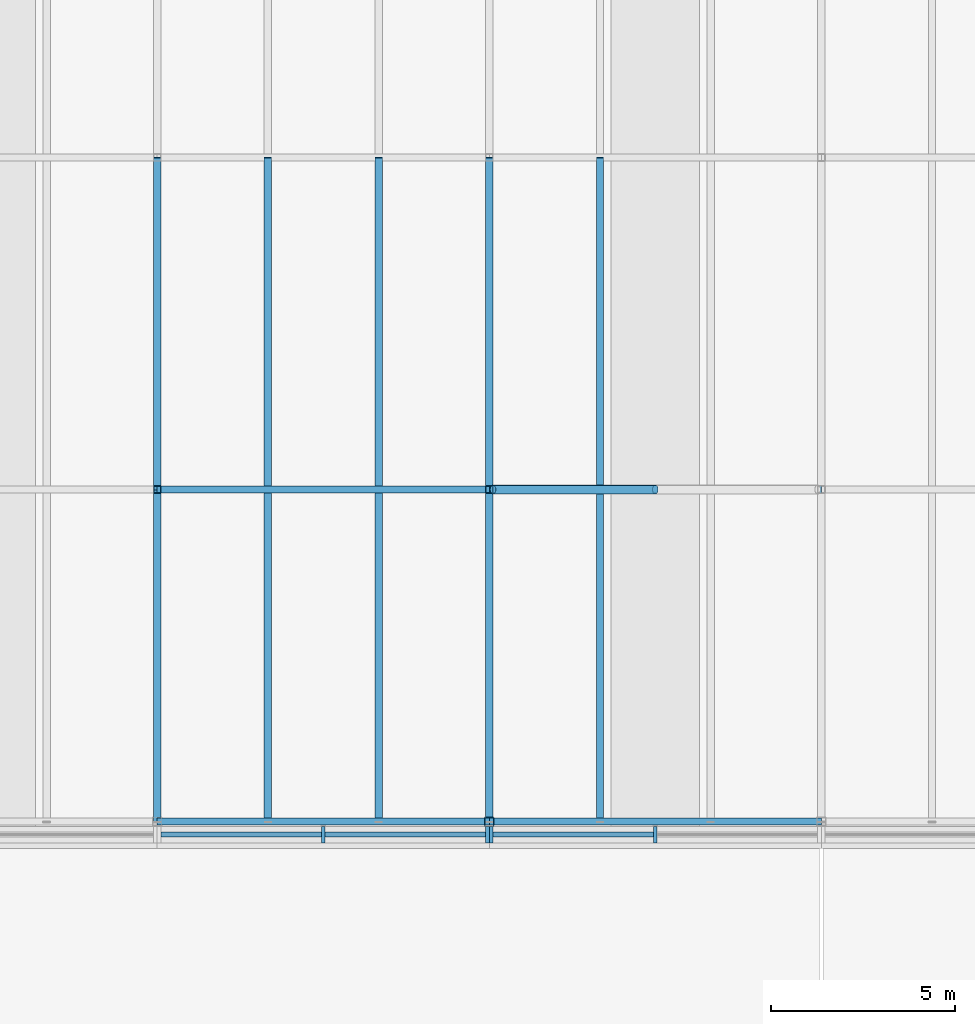
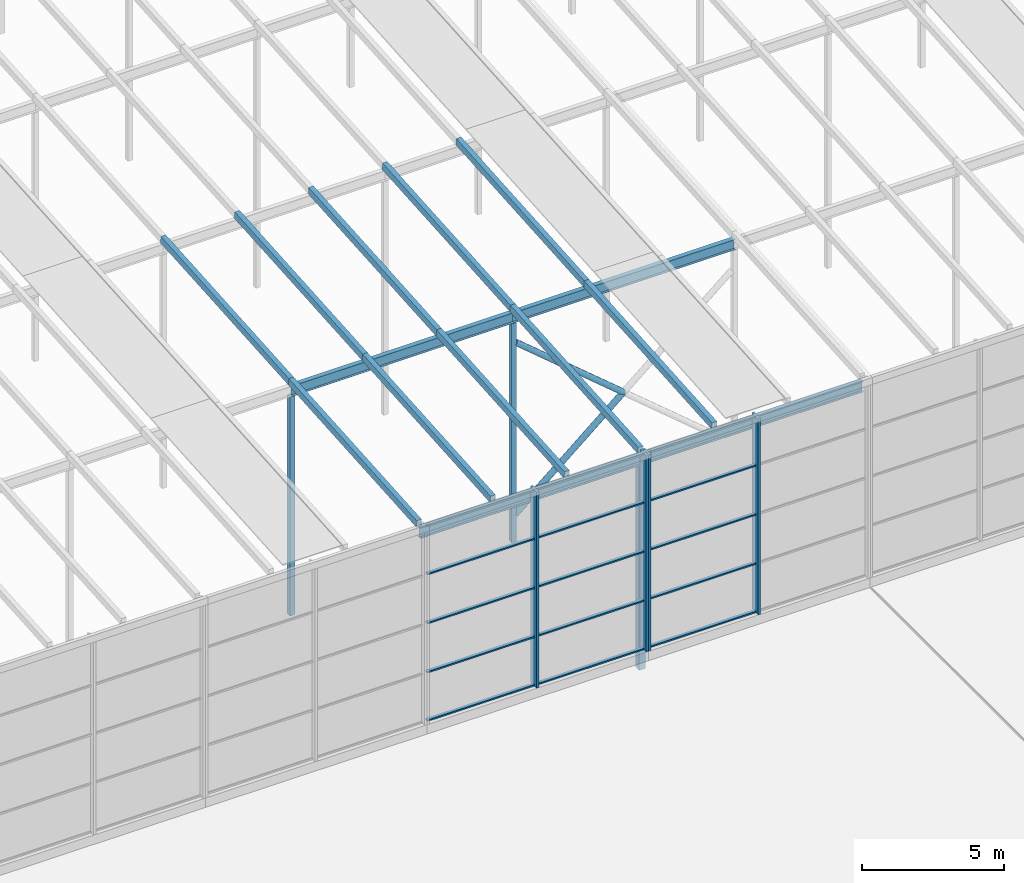
# One storey, part 7 of 84: 34 members, 4 beams, 2 elements without a shape of their own.
"""IFC4 building model written with IfcOpenShell, lengths in metres."""

import ifcopenshell
import ifcopenshell.guid

model = None  # the IFC model being written
_history = None  # IfcOwnerHistory: only IFC2X3 demands one
_inside = {}  # id of a spatial element -> (the spatial element, [elements in it])
_under = {}  # id of a project, library or spatial element -> (it, [spatial elements below it])
_declared = {}  # id of a project -> (the project, [libraries it declares])
_typed = {}  # id of a type object -> (the type object, [elements of that type])
_made_of = {}  # id of a material, layer set ... -> (it, [elements and type objects made of it])


def new_model(schema):
    """Start an empty IFC model of exactly this schema.

    Asked for "IFC4X3", IfcOpenShell would pick the latest addendum, in which some entities
    have other attributes; the version numbers below select the first issue.
    IFC2X3 requires an IfcOwnerHistory on every rooted entity: one is made here for all.
    """
    global model, _history
    if schema == "IFC4X3":
        model = ifcopenshell.file(schema_version=(4, 3, 0, 0))
    else:
        model = ifcopenshell.file(schema=schema)
    _inside.clear()
    _under.clear()
    _declared.clear()
    _typed.clear()
    _made_of.clear()
    _history = None
    if model.schema == "IFC2X3":
        org = make("IfcOrganization", Name="unknown")
        user = make(
            "IfcPersonAndOrganization",
            ThePerson=make("IfcPerson", FamilyName="unknown"),
            TheOrganization=org,
        )
        app = make(
            "IfcApplication",
            ApplicationDeveloper=org,
            Version="unknown",
            ApplicationFullName="unknown",
            ApplicationIdentifier="unknown",
        )
        _history = make(
            "IfcOwnerHistory",
            OwningUser=user,
            OwningApplication=app,
            ChangeAction="ADDED",
            CreationDate=0,
        )
    return model


def make(cls, **values):
    """One entity of the class cls with the attributes given. An attribute that is None is left unset."""
    return model.create_entity(
        cls, **{name: value for name, value in values.items() if value is not None}
    )


def rooted(cls, **values):
    """An entity with a GlobalId (a new one), such as an element, a storey or a relation."""
    return make(cls, GlobalId=ifcopenshell.guid.new(), OwnerHistory=_history, **values)


def si_unit(unit_type, name, prefix=None):
    """IfcSIUnit, for example si_unit("LENGTHUNIT", "METRE", prefix="MILLI")."""
    return make("IfcSIUnit", UnitType=unit_type, Prefix=prefix, Name=name)


def assignment(units):
    """IfcUnitAssignment: the units of a project."""
    return None if units is None else make("IfcUnitAssignment", Units=units)


def point(xyz):
    """IfcCartesianPoint."""
    return None if xyz is None else make("IfcCartesianPoint", Coordinates=xyz)


def direction(xyz):
    """IfcDirection."""
    return None if xyz is None else make("IfcDirection", DirectionRatios=xyz)


def frame(location, z_axis=None, x_axis=None):
    """IfcAxis2Placement3D, a coordinate frame: its origin and axes. An axis left out is left unset."""
    return make(
        "IfcAxis2Placement3D",
        Location=point(location),
        Axis=direction(z_axis),
        RefDirection=direction(x_axis),
    )


def frame_2d(location, x_axis=None):
    """IfcAxis2Placement2D, a coordinate frame in the plane: its origin and x axis."""
    return make(
        "IfcAxis2Placement2D", Location=point(location), RefDirection=direction(x_axis)
    )


def origin():
    """The frame at (0, 0, 0) with its axes left unset."""
    return frame((0.0, 0.0, 0.0))


def origin_2d():
    """The frame at (0, 0) in the plane with its x axis left unset."""
    return frame_2d((0.0, 0.0))


def place(relative_to, where):
    """IfcLocalPlacement: puts the frame where relative to a parent placement (None: the world)."""
    return make(
        "IfcLocalPlacement", PlacementRelTo=relative_to, RelativePlacement=where
    )


def context(
    kind, dimensions, precision=None, world=None, true_north=None, identifier=None
):
    """IfcGeometricRepresentationContext, for example the 3D "Model" context."""
    return make(
        "IfcGeometricRepresentationContext",
        ContextIdentifier=identifier,
        ContextType=kind,
        CoordinateSpaceDimension=dimensions,
        Precision=precision,
        WorldCoordinateSystem=world,
        TrueNorth=true_north,
    )


def subcontext(parent, identifier, kind, view, scale=None):
    """IfcGeometricRepresentationSubContext, for example "Body" below "Model"."""
    return make(
        "IfcGeometricRepresentationSubContext",
        ContextIdentifier=identifier,
        ContextType=kind,
        ParentContext=parent,
        TargetScale=scale,
        TargetView=view,
    )


def project(units=None, contexts=None):
    """IfcProject with its units and contexts."""
    return rooted(
        "IfcProject",
        Name="project",
        RepresentationContexts=contexts,
        UnitsInContext=assignment(units),
    )


def spatial(cls, under=None, at=None, **own):
    """A site, building, storey or space (cls), placed at a placement, below another one or the project."""
    s = rooted(cls, ObjectPlacement=at, **own)
    if under is not None:
        _under.setdefault(under.id(), (under, []))[1].append(s)
    return s


def profile(cls, at=None, kind="AREA", **sizes):
    """A parametric profile (cls). Its sizes go by their IFC names, for example OverallWidth=200.0."""
    return make(cls, ProfileType=kind, Position=at, **sizes)


def rectangle(**sizes):
    """IfcRectangleProfileDef."""
    return profile("IfcRectangleProfileDef", **sizes)


def hollow_rectangle(**sizes):
    """IfcRectangleHollowProfileDef."""
    return profile("IfcRectangleHollowProfileDef", **sizes)


def hollow_circle(**sizes):
    """IfcCircleHollowProfileDef."""
    return profile("IfcCircleHollowProfileDef", **sizes)


def i_section(**sizes):
    """IfcIShapeProfileDef."""
    return profile("IfcIShapeProfileDef", **sizes)


def extrude(swept, where, along, depth):
    """IfcExtrudedAreaSolid: the profile swept, set in the frame where, extruded along a direction by depth."""
    return make(
        "IfcExtrudedAreaSolid",
        SweptArea=swept,
        Position=where,
        ExtrudedDirection=direction(along),
        Depth=depth,
    )


def shape(context_of_items, identifier, shape_type, items):
    """IfcShapeRepresentation: the items that make up one representation, for example the "Body"."""
    return make(
        "IfcShapeRepresentation",
        ContextOfItems=context_of_items,
        RepresentationIdentifier=identifier,
        RepresentationType=shape_type,
        Items=items,
    )


def material(Name=None, Category=None):
    """IfcMaterial."""
    return make("IfcMaterial", Name=Name, Category=Category)


def material_profile(
    of_material, cross_section, Name=None, Category=None, Priority=None
):
    """IfcMaterialProfile: a cross section and its material."""
    return make(
        "IfcMaterialProfile",
        Name=Name,
        Material=of_material,
        Profile=cross_section,
        Priority=Priority,
        Category=Category,
    )


def profile_set(profiles, Name=None, composite=None):
    """IfcMaterialProfileSet."""
    return make(
        "IfcMaterialProfileSet",
        Name=Name,
        MaterialProfiles=profiles,
        CompositeProfile=composite,
    )


def made_of(thing, what):
    """Note that an element or type object is made of a material, layer set ...; save() writes the relation."""
    if what is not None:
        _made_of.setdefault(what.id(), (what, []))[1].append(thing)
    return thing


def type_object(cls, material=None, **own):
    """A type object (cls), such as IfcWallType, which elements share."""
    return made_of(rooted(cls, **own), material)


def element(
    cls,
    number,
    at=None,
    inside=None,
    cuts=None,
    type_object=None,
    material=None,
    context=None,
    identifier="Body",
    shape_type=None,
    held_by="IfcProductDefinitionShape",
    body=None,
    shapes=None,
    **own,
):
    """One element of the class cls, such as IfcWall. Its Tag is "e" and its number.

    at: its placement. inside: the storey or other place that contains it. cuts: it is an
    opening in that element (IfcRelVoidsElement). A single representation is given by context,
    identifier, shape_type and body (its items); several are given by shapes. held_by: the class
    of the entity that holds the representations. save() writes the other relations.
    """
    e = rooted(cls, Tag="e%d" % number, ObjectPlacement=at, **own)
    if body is not None:
        shapes = [shape(context, identifier, shape_type, body)]
    if shapes is not None:
        e.Representation = make(held_by, Representations=shapes)
    if inside is not None:
        _inside.setdefault(inside.id(), (inside, []))[1].append(e)
    if cuts is not None:
        rooted(
            "IfcRelVoidsElement", RelatingBuildingElement=cuts, RelatedOpeningElement=e
        )
    if type_object is not None:
        _typed.setdefault(type_object.id(), (type_object, []))[1].append(e)
    return made_of(e, material)


def aggregate(whole, parts):
    """IfcRelAggregates: a whole, such as a stair, and the parts it consists of."""
    return rooted("IfcRelAggregates", RelatingObject=whole, RelatedObjects=parts)


def save(model, path):
    """Write the relations noted so far, then the file.

    IfcRelAggregates (storeys below a building ...), IfcRelContainedInSpatialStructure (elements
    in a storey), IfcRelDefinesByType, IfcRelAssociatesMaterial and IfcRelDeclares: one each for
    every whole, place, type object, material and project.
    """
    for whole, parts in _under.values():
        aggregate(whole, parts)
    for where, things in _inside.values():
        rooted(
            "IfcRelContainedInSpatialStructure",
            RelatedElements=things,
            RelatingStructure=where,
        )
    for kind, things in _typed.values():
        rooted("IfcRelDefinesByType", RelatedObjects=things, RelatingType=kind)
    for what, things in _made_of.values():
        rooted("IfcRelAssociatesMaterial", RelatedObjects=things, RelatingMaterial=what)
    for by, libraries in _declared.values():
        rooted("IfcRelDeclares", RelatingContext=by, RelatedDefinitions=libraries)
    model.write(path)


model = new_model("IFC4")

# Units and contexts
model_context = context("Model", 3, precision=1e-05, world=origin(), true_north=direction((0.0, 1.0)))
body_context = subcontext(model_context, "Body", "Model", "MODEL_VIEW")
ifc_project = project(units=[si_unit("LENGTHUNIT", "METRE"), si_unit("AREAUNIT", "SQUARE_METRE"), si_unit("VOLUMEUNIT", "CUBIC_METRE"), si_unit("PLANEANGLEUNIT", "RADIAN"), si_unit("MASSUNIT", "GRAM", prefix="KILO")], contexts=[model_context])

# Site, building, storey
site_placement = place(None, origin())
site = spatial("IfcSite", under=ifc_project, at=site_placement, CompositionType="ELEMENT")
building_placement = place(site_placement, origin())
building = spatial("IfcBuilding", under=site, at=building_placement, Name="Silverbay Arena", CompositionType="ELEMENT")
storey_placement = place(building_placement, frame((0.0, 0.0, 47.10009765625)))
storey = spatial("IfcBuildingStorey", under=building, at=storey_placement, Name="ROOF", CompositionType="ELEMENT", Elevation=47.10009765625)

# Curtain wall, members
ifc_material_1 = material(Name="Aluminium framed glazing", Category="aluminium")
curtain_wall_type = type_object("IfcCurtainWallType", Name="Curtain wall crown 9000 x 8425", PredefinedType="NOTDEFINED", material=ifc_material_1)
curtain_wall_1_placement = place(storey_placement, origin())
curtain_wall_1 = element("IfcCurtainWall", 1, at=curtain_wall_1_placement, inside=storey, type_object=curtain_wall_type, Name="ROOF CROWN CURTAIN WALL south bay 05", PredefinedType="NOTDEFINED")
ifc_material_2 = material(Name="Aluminium", Category="aluminium")
ifc_material_profile_1 = material_profile(ifc_material_2, rectangle(XDim=0.449951171875, YDim=0.10009765625, at=origin_2d()), Name="Mullion 100 x 450")
ifc_profile_set_1 = profile_set([ifc_material_profile_1], Name="Aluminium")
member_type_1 = type_object("IfcMemberType", Name="Mullion 100 x 450", PredefinedType="MULLION", material=ifc_profile_set_1)
placement = place(building_placement, frame((0.0, 0.0, 33.5)))
member_1_placement = place(placement, frame((121.5, 26.64990234375, 14.050048828125), z_axis=(0.0, 0.0, 1.0), x_axis=(0.0, 1.0, 0.0)))
member_1 = element("IfcMember", 2, at=member_1_placement, type_object=member_type_1, Name="CW62 mullion 2", PredefinedType="MULLION", context=body_context, shape_type="SweptSolid", body=[
    extrude(rectangle(XDim=0.449951171875, YDim=0.10009765625, at=origin_2d()), origin(), (0.0, 0.0, 1.0), 8.424560546875),
])
member_2_placement = place(placement, frame((125.949951171875, 26.64990234375, 14.050048828125), z_axis=(0.0, 0.0, 1.0), x_axis=(0.0, 1.0, 0.0)))
member_2 = element("IfcMember", 3, at=member_2_placement, type_object=member_type_1, Name="CW62 mullion 3", PredefinedType="MULLION", context=body_context, shape_type="SweptSolid", body=[
    extrude(rectangle(XDim=0.449951171875, YDim=0.10009765625, at=origin_2d()), origin(), (0.0, 0.0, 1.0), 8.424560546875),
])

curtain_wall_2_placement = place(storey_placement, origin())
curtain_wall_2 = element("IfcCurtainWall", 4, at=curtain_wall_2_placement, inside=storey, type_object=curtain_wall_type, Name="ROOF CROWN CURTAIN WALL south bay 06", PredefinedType="NOTDEFINED")
member_3_placement = place(placement, frame((126.050048828125, 26.64990234375, 14.050048828125), z_axis=(0.0, 0.0, 1.0), x_axis=(0.0, 1.0, 0.0)))
member_3 = element("IfcMember", 5, at=member_3_placement, type_object=member_type_1, Name="CW62 mullion 1", PredefinedType="MULLION", context=body_context, shape_type="SweptSolid", body=[
    extrude(rectangle(XDim=0.449951171875, YDim=0.10009765625, at=origin_2d()), origin(), (0.0, 0.0, 1.0), 8.424560546875),
])
member_4_placement = place(placement, frame((130.5, 26.64990234375, 14.050048828125), z_axis=(0.0, 0.0, 1.0), x_axis=(0.0, 1.0, 0.0)))
member_4 = element("IfcMember", 6, at=member_4_placement, type_object=member_type_1, Name="CW62 mullion 2", PredefinedType="MULLION", context=body_context, shape_type="SweptSolid", body=[
    extrude(rectangle(XDim=0.449951171875, YDim=0.10009765625, at=origin_2d()), origin(), (0.0, 0.0, 1.0), 8.424560546875),
])

# Members
ifc_material_3 = material(Name="Steel S355", Category="steel")
ifc_material_profile_2 = material_profile(ifc_material_3, hollow_rectangle(XDim=0.199951171875, YDim=0.300048828125, WallThickness=0.00634765625, at=origin_2d()), Name="RHS 300x200x6.3")
ifc_profile_set_2 = profile_set([ifc_material_profile_2], Name="Steel S355")
member_type_2 = type_object("IfcMemberType", Name="Purlin RHS 300x200x6.3", PredefinedType="PURLIN", material=ifc_profile_set_2)
for number, where, z_axis, x_axis, name in (
    (7, (117.0, 27.0, 8.74951171875), (0.0, 0.997402911363, 0.072023832195), (-1.0, 0.0, 0.0), "ROOF PURLIN crown line 13 bay 01"),
    (8, (117.0, 36.0, 9.3994140625), (0.0, 0.997400967367, 0.07205074805), (-1.0, 0.0, 0.0), "ROOF PURLIN crown line 13 bay 02"),
    (9, (120.0, 27.0, 8.74951171875), (0.0, 0.997402911363, 0.072023832195), (-1.0, 0.0, 0.0), "ROOF PURLIN crown line 14 bay 01"),
    (10, (120.0, 36.0, 9.3994140625), (0.0, 0.997400967367, 0.07205074805), (-1.0, 0.0, 0.0), "ROOF PURLIN crown line 14 bay 02"),
    (11, (123.0, 27.0, 8.74951171875), (0.0, 0.997402911363, 0.072023832195), (-1.0, 0.0, 0.0), "ROOF PURLIN crown line 15 bay 01"),
    (12, (123.0, 36.0, 9.3994140625), (0.0, 0.997400967367, 0.07205074805), (-1.0, 0.0, 0.0), "ROOF PURLIN crown line 15 bay 02"),
    (13, (126.0, 27.0, 8.74951171875), (0.0, 0.997402911363, 0.072023832195), (-1.0, 0.0, 0.0), "ROOF PURLIN crown line 16 bay 01"),
    (14, (126.0, 36.0, 9.3994140625), (0.0, 0.997400967367, 0.07205074805), (-1.0, 0.0, 0.0), "ROOF PURLIN crown line 16 bay 02"),
    (15, (129.0, 27.0, 8.74951171875), (0.0, 0.997402911363, 0.072023832195), (-1.0, 0.0, 0.0), "ROOF PURLIN crown line 17 bay 01"),
    (16, (129.0, 36.0, 9.3994140625), (0.0, 0.997400967367, 0.07205074805), (-1.0, 0.0, 0.0), "ROOF PURLIN crown line 17 bay 02"),
):
    element("IfcMember", number, at=place(storey_placement, frame(where, z_axis=z_axis, x_axis=x_axis)), inside=storey, type_object=member_type_2, Name=name, PredefinedType="PURLIN", context=body_context, shape_type="SweptSolid", body=[
        extrude(hollow_rectangle(XDim=0.199951171875, YDim=0.300048828125, WallThickness=0.00634765625, at=origin_2d()), origin(), (0.0, 0.0, 1.0), 9.0234375),
    ])

# Beams
ifc_material_4 = material(Name="Steel S355", Category="steel")
ifc_material_profile_3 = material_profile(ifc_material_4, i_section(OverallWidth=0.18994140625, OverallDepth=0.453369140625, WebThickness=0.008544921875, FlangeThickness=0.0126953125, at=origin_2d()), Name="UB 457x191x67")
ifc_profile_set_3 = profile_set([ifc_material_profile_3], Name="Steel S355")
beam_type = type_object("IfcBeamType", Name="Ring beam UB 457x191x67", PredefinedType="BEAM", material=ifc_profile_set_3)
for number, where, z_axis, x_axis, name in (
    (17, (117.0, 27.0, 8.372314453125), (1.0, 0.0, 0.0), (0.0, 1.0, 0.0), "RING BEAM crown row 01 14-15"),
    (18, (126.0, 27.0, 8.372314453125), (1.0, 0.0, 0.0), (0.0, 1.0, 0.0), "RING BEAM crown row 01 15-16"),
    (19, (117.0, 36.0, 9.0224609375), (1.0, 0.0, 0.0), (0.0, 1.0, 0.0), "RING BEAM crown row 02 14-15"),
    (20, (126.0, 36.0, 9.0224609375), (1.0, 0.0, 0.0), (0.0, 1.0, 0.0), "RING BEAM crown row 02 15-16"),
):
    element("IfcBeam", number, at=place(storey_placement, frame(where, z_axis=z_axis, x_axis=x_axis)), inside=storey, type_object=beam_type, Name=name, PredefinedType="BEAM", context=body_context, shape_type="SweptSolid", body=[
        extrude(i_section(OverallWidth=0.18994140625, OverallDepth=0.453369140625, WebThickness=0.008544921875, FlangeThickness=0.0126953125, at=origin_2d()), origin(), (0.0, 0.0, 1.0), 9.0),
    ])

# Members
ifc_material_5 = material(Name="Steel S355", Category="steel")
ifc_material_profile_4 = material_profile(ifc_material_5, hollow_rectangle(XDim=0.199951171875, YDim=0.199951171875, WallThickness=0.008056640625, at=origin_2d()), Name="SHS 200x200x8")
ifc_profile_set_4 = profile_set([ifc_material_profile_4], Name="Steel S355")
member_type_3 = type_object("IfcMemberType", Name="Roof post SHS 200x200x8", PredefinedType="POST", material=ifc_profile_set_4)
for number, where, z_axis, x_axis, name in (
    (21, (117.0, 36.0, -0.60009765625), (0.0, 0.0, 1.0), (1.0, 0.0, 0.0), "ROOF CROWN POST 14 row 02"),
    (22, (126.0, 36.0, -0.60009765625), (0.0, 0.0, 1.0), (1.0, 0.0, 0.0), "ROOF CROWN POST 15 row 02"),
):
    element("IfcMember", number, at=place(storey_placement, frame(where, z_axis=z_axis, x_axis=x_axis)), inside=storey, type_object=member_type_3, Name=name, PredefinedType="POST", context=body_context, shape_type="SweptSolid", body=[
        extrude(hollow_rectangle(XDim=0.199951171875, YDim=0.199951171875, WallThickness=0.008056640625, at=origin_2d()), origin(), (0.0, 0.0, 1.0), 9.395751953125),
    ])
ifc_material_6 = material(Name="Steel S355", Category="steel")
ifc_material_profile_5 = material_profile(ifc_material_6, hollow_rectangle(XDim=0.25, YDim=0.25, WallThickness=0.008056640625, at=origin_2d()), Name="SHS 250x250x8")
ifc_profile_set_5 = profile_set([ifc_material_profile_5], Name="Steel S355")
member_type_4 = type_object("IfcMemberType", Name="Roof post SHS 250x250x8", PredefinedType="POST", material=ifc_profile_set_5)
member_5_placement = place(storey_placement, frame((126.0, 27.0, -0.60009765625), z_axis=(0.0, 0.0, 1.0), x_axis=(1.0, 0.0, 0.0)))
element("IfcMember", 23, at=member_5_placement, inside=storey, type_object=member_type_4, Name="ROOF CROWN POST 15 row 01", PredefinedType="POST", context=body_context, shape_type="SweptSolid", body=[
    extrude(hollow_rectangle(XDim=0.25, YDim=0.25, WallThickness=0.008056640625, at=origin_2d()), origin(), (0.0, 0.0, 1.0), 8.745849609375),
])

# Member
ifc_material_7 = material(Name="Aluminium", Category="aluminium")
ifc_material_profile_6 = material_profile(ifc_material_7, rectangle(XDim=0.139892578125, YDim=0.06005859375, at=origin_2d()), Name="Transom 60 x 140")
ifc_profile_set_6 = profile_set([ifc_material_profile_6], Name="Aluminium")
member_type_5 = type_object("IfcMemberType", Name="Transom 60 x 140", PredefinedType="USERDEFINED", material=ifc_profile_set_6)
member_6_placement = place(placement, frame((117.10009765625, 26.64990234375, 14.080078125), z_axis=(1.0, 0.0, 0.0), x_axis=(0.0, 1.0, 0.0)))
member_6 = element("IfcMember", 24, at=member_6_placement, type_object=member_type_5, Name="CW62 transom 1.1", ObjectType="TRANSOM", PredefinedType="USERDEFINED", context=body_context, shape_type="SweptSolid", body=[
    extrude(rectangle(XDim=0.139892578125, YDim=0.06005859375, at=origin_2d()), origin(), (0.0, 0.0, 1.0), 4.349853515625),
])

member_7_placement = place(placement, frame((117.10009765625, 26.64990234375, 16.15625), z_axis=(1.0, 0.0, 0.0), x_axis=(0.0, 1.0, 0.0)))
member_7 = element("IfcMember", 25, at=member_7_placement, type_object=member_type_5, Name="CW62 transom 1.2", ObjectType="TRANSOM", PredefinedType="USERDEFINED", context=body_context, shape_type="SweptSolid", body=[
    extrude(rectangle(XDim=0.139892578125, YDim=0.06005859375, at=origin_2d()), origin(), (0.0, 0.0, 1.0), 4.349853515625),
])

member_8_placement = place(placement, frame((117.10009765625, 26.64990234375, 18.262451171875), z_axis=(1.0, 0.0, 0.0), x_axis=(0.0, 1.0, 0.0)))
member_8 = element("IfcMember", 26, at=member_8_placement, type_object=member_type_5, Name="CW62 transom 1.3", ObjectType="TRANSOM", PredefinedType="USERDEFINED", context=body_context, shape_type="SweptSolid", body=[
    extrude(rectangle(XDim=0.139892578125, YDim=0.06005859375, at=origin_2d()), origin(), (0.0, 0.0, 1.0), 4.349853515625),
])

member_9_placement = place(placement, frame((117.10009765625, 26.64990234375, 20.36865234375), z_axis=(1.0, 0.0, 0.0), x_axis=(0.0, 1.0, 0.0)))
member_9 = element("IfcMember", 27, at=member_9_placement, type_object=member_type_5, Name="CW62 transom 1.4", ObjectType="TRANSOM", PredefinedType="USERDEFINED", context=body_context, shape_type="SweptSolid", body=[
    extrude(rectangle(XDim=0.139892578125, YDim=0.06005859375, at=origin_2d()), origin(), (0.0, 0.0, 1.0), 4.349853515625),
])

member_10_placement = place(placement, frame((117.10009765625, 26.64990234375, 22.44482421875), z_axis=(1.0, 0.0, 0.0), x_axis=(0.0, 1.0, 0.0)))
member_10 = element("IfcMember", 28, at=member_10_placement, type_object=member_type_5, Name="CW62 transom 1.5", ObjectType="TRANSOM", PredefinedType="USERDEFINED", context=body_context, shape_type="SweptSolid", body=[
    extrude(rectangle(XDim=0.139892578125, YDim=0.06005859375, at=origin_2d()), origin(), (0.0, 0.0, 1.0), 4.349853515625),
])

member_11_placement = place(placement, frame((121.550048828125, 26.64990234375, 14.080078125), z_axis=(1.0, 0.0, 0.0), x_axis=(0.0, 1.0, 0.0)))
member_11 = element("IfcMember", 29, at=member_11_placement, type_object=member_type_5, Name="CW62 transom 2.1", ObjectType="TRANSOM", PredefinedType="USERDEFINED", context=body_context, shape_type="SweptSolid", body=[
    extrude(rectangle(XDim=0.139892578125, YDim=0.06005859375, at=origin_2d()), origin(), (0.0, 0.0, 1.0), 4.349853515625),
])

member_12_placement = place(placement, frame((121.550048828125, 26.64990234375, 16.15625), z_axis=(1.0, 0.0, 0.0), x_axis=(0.0, 1.0, 0.0)))
member_12 = element("IfcMember", 30, at=member_12_placement, type_object=member_type_5, Name="CW62 transom 2.2", ObjectType="TRANSOM", PredefinedType="USERDEFINED", context=body_context, shape_type="SweptSolid", body=[
    extrude(rectangle(XDim=0.139892578125, YDim=0.06005859375, at=origin_2d()), origin(), (0.0, 0.0, 1.0), 4.349853515625),
])

member_13_placement = place(placement, frame((121.550048828125, 26.64990234375, 18.262451171875), z_axis=(1.0, 0.0, 0.0), x_axis=(0.0, 1.0, 0.0)))
member_13 = element("IfcMember", 31, at=member_13_placement, type_object=member_type_5, Name="CW62 transom 2.3", ObjectType="TRANSOM", PredefinedType="USERDEFINED", context=body_context, shape_type="SweptSolid", body=[
    extrude(rectangle(XDim=0.139892578125, YDim=0.06005859375, at=origin_2d()), origin(), (0.0, 0.0, 1.0), 4.349853515625),
])

member_14_placement = place(placement, frame((121.550048828125, 26.64990234375, 20.36865234375), z_axis=(1.0, 0.0, 0.0), x_axis=(0.0, 1.0, 0.0)))
member_14 = element("IfcMember", 32, at=member_14_placement, type_object=member_type_5, Name="CW62 transom 2.4", ObjectType="TRANSOM", PredefinedType="USERDEFINED", context=body_context, shape_type="SweptSolid", body=[
    extrude(rectangle(XDim=0.139892578125, YDim=0.06005859375, at=origin_2d()), origin(), (0.0, 0.0, 1.0), 4.349853515625),
])

member_15_placement = place(placement, frame((121.550048828125, 26.64990234375, 22.44482421875), z_axis=(1.0, 0.0, 0.0), x_axis=(0.0, 1.0, 0.0)))
member_15 = element("IfcMember", 33, at=member_15_placement, type_object=member_type_5, Name="CW62 transom 2.5", ObjectType="TRANSOM", PredefinedType="USERDEFINED", context=body_context, shape_type="SweptSolid", body=[
    extrude(rectangle(XDim=0.139892578125, YDim=0.06005859375, at=origin_2d()), origin(), (0.0, 0.0, 1.0), 4.349853515625),
])

aggregate(curtain_wall_1, [member_1, member_2, member_6, member_7, member_8, member_9, member_10, member_11, member_12, member_13, member_14, member_15])

member_16_placement = place(placement, frame((126.10009765625, 26.64990234375, 14.080078125), z_axis=(1.0, 0.0, 0.0), x_axis=(0.0, 1.0, 0.0)))
member_16 = element("IfcMember", 34, at=member_16_placement, type_object=member_type_5, Name="CW62 transom 1.1", ObjectType="TRANSOM", PredefinedType="USERDEFINED", context=body_context, shape_type="SweptSolid", body=[
    extrude(rectangle(XDim=0.139892578125, YDim=0.06005859375, at=origin_2d()), origin(), (0.0, 0.0, 1.0), 4.349853515625),
])

member_17_placement = place(placement, frame((126.10009765625, 26.64990234375, 16.15625), z_axis=(1.0, 0.0, 0.0), x_axis=(0.0, 1.0, 0.0)))
member_17 = element("IfcMember", 35, at=member_17_placement, type_object=member_type_5, Name="CW62 transom 1.2", ObjectType="TRANSOM", PredefinedType="USERDEFINED", context=body_context, shape_type="SweptSolid", body=[
    extrude(rectangle(XDim=0.139892578125, YDim=0.06005859375, at=origin_2d()), origin(), (0.0, 0.0, 1.0), 4.349853515625),
])

member_18_placement = place(placement, frame((126.10009765625, 26.64990234375, 18.262451171875), z_axis=(1.0, 0.0, 0.0), x_axis=(0.0, 1.0, 0.0)))
member_18 = element("IfcMember", 36, at=member_18_placement, type_object=member_type_5, Name="CW62 transom 1.3", ObjectType="TRANSOM", PredefinedType="USERDEFINED", context=body_context, shape_type="SweptSolid", body=[
    extrude(rectangle(XDim=0.139892578125, YDim=0.06005859375, at=origin_2d()), origin(), (0.0, 0.0, 1.0), 4.349853515625),
])

member_19_placement = place(placement, frame((126.10009765625, 26.64990234375, 20.36865234375), z_axis=(1.0, 0.0, 0.0), x_axis=(0.0, 1.0, 0.0)))
member_19 = element("IfcMember", 37, at=member_19_placement, type_object=member_type_5, Name="CW62 transom 1.4", ObjectType="TRANSOM", PredefinedType="USERDEFINED", context=body_context, shape_type="SweptSolid", body=[
    extrude(rectangle(XDim=0.139892578125, YDim=0.06005859375, at=origin_2d()), origin(), (0.0, 0.0, 1.0), 4.349853515625),
])

member_20_placement = place(placement, frame((126.10009765625, 26.64990234375, 22.44482421875), z_axis=(1.0, 0.0, 0.0), x_axis=(0.0, 1.0, 0.0)))
member_20 = element("IfcMember", 38, at=member_20_placement, type_object=member_type_5, Name="CW62 transom 1.5", ObjectType="TRANSOM", PredefinedType="USERDEFINED", context=body_context, shape_type="SweptSolid", body=[
    extrude(rectangle(XDim=0.139892578125, YDim=0.06005859375, at=origin_2d()), origin(), (0.0, 0.0, 1.0), 4.349853515625),
])

aggregate(curtain_wall_2, [member_3, member_4, member_16, member_17, member_18, member_19, member_20])

# Members
ifc_material_8 = material(Name="Steel S355", Category="steel")
ifc_material_profile_7 = material_profile(ifc_material_8, hollow_circle(Radius=0.122314453125, WallThickness=0.00634765625, at=origin_2d()), Name="CHS 244.5x6.3")
ifc_profile_set_7 = profile_set([ifc_material_profile_7], Name="Steel S355")
member_type_6 = type_object("IfcMemberType", Name="Vertical bracing CHS 244.5x6.3", PredefinedType="BRACE", material=ifc_profile_set_7)
member_21_placement = place(storey_placement, frame((126.10009765625, 36.0, 0.5), z_axis=(0.765547520012, 0.0, 0.643379355127), x_axis=(0.0, 1.0, 0.0)))
element("IfcMember", 39, at=member_21_placement, inside=storey, type_object=member_type_6, Name="ROOF CROWN BRACING S bay 06 Aa", PredefinedType="BRACE", context=body_context, shape_type="SweptSolid", body=[
    extrude(hollow_circle(Radius=0.122314453125, WallThickness=0.00634765625, at=origin_2d()), origin(), (0.0, 0.0, 1.0), 5.747314453125),
])
member_22_placement = place(storey_placement, frame((126.10009765625, 36.0, 7.895751953125), z_axis=(0.765526597926, 0.0, -0.643404249184), x_axis=(0.0, 1.0, 0.0)))
element("IfcMember", 40, at=member_22_placement, inside=storey, type_object=member_type_6, Name="ROOF CROWN BRACING S bay 06 Ba", PredefinedType="BRACE", context=body_context, shape_type="SweptSolid", body=[
    extrude(hollow_circle(Radius=0.122314453125, WallThickness=0.00634765625, at=origin_2d()), origin(), (0.0, 0.0, 1.0), 5.74755859375),
])

save(model, "model.ifc")
